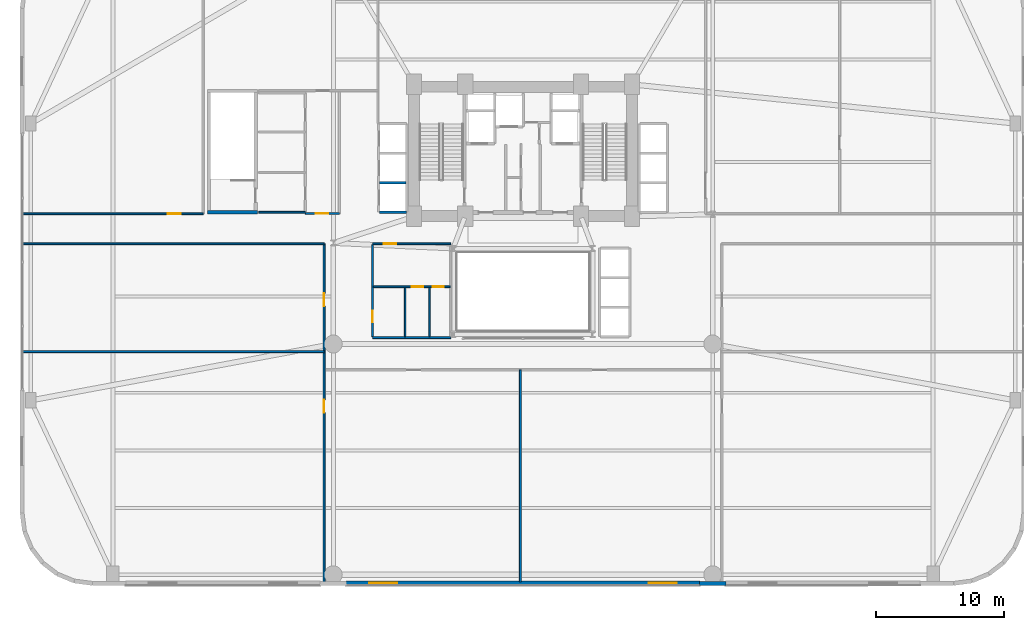
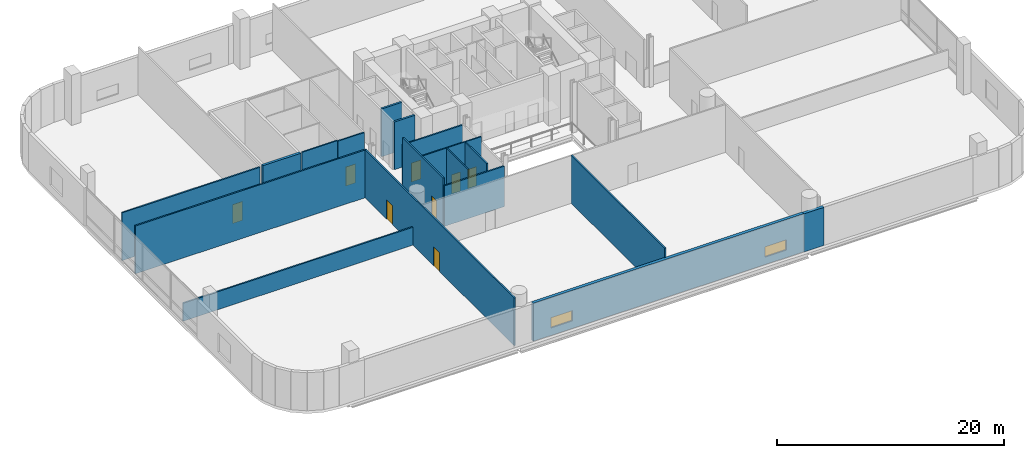
# One storey, part 22 of 31: 18 walls, 8 doors, 2 windows, 10 openings.
"""IFC4 building model written with IfcOpenShell, lengths in metres."""

from ifc_helpers import new_model, si_unit, direction, frame, frame_2d, origin, place, context, subcontext, project, spatial, rectangle, extrude, material, layer, layer_set, type_object, element, fill, save


model = new_model("IFC4")

# Units and contexts
model_context = context("Model", 3, precision=1e-05, world=origin(), true_north=direction((0.0, 1.0)))
body_context = subcontext(model_context, "Body", "Model", "MODEL_VIEW")
ifc_project = project(units=[si_unit("LENGTHUNIT", "METRE"), si_unit("AREAUNIT", "SQUARE_METRE"), si_unit("VOLUMEUNIT", "CUBIC_METRE"), si_unit("PLANEANGLEUNIT", "RADIAN"), si_unit("MASSUNIT", "GRAM", prefix="KILO")], contexts=[model_context])

# Site, building, storey
site_placement = place(None, origin())
site = spatial("IfcSite", under=ifc_project, at=site_placement, CompositionType="ELEMENT")
building_placement = place(site_placement, origin())
building = spatial("IfcBuilding", under=site, at=building_placement, Name="Varnelok Gate Tower", CompositionType="ELEMENT")
storey_placement = place(building_placement, frame((0.0, 0.0, 21.60009765625)))
storey = spatial("IfcBuildingStorey", under=building, at=storey_placement, Name="L04", CompositionType="ELEMENT", Elevation=21.60009765625)

# Wall, openings, windows
ifc_material_1 = material(Name="Concrete C45/55", Category="concrete")
ifc_layer_1 = layer(ifc_material_1, 0.320068359375)
ifc_layer_set_1 = layer_set([ifc_layer_1], Name="Concrete C45/55")
wall_type_1 = type_object("IfcWallType", Name="EW-POD-320", PredefinedType="SOLIDWALL", material=ifc_layer_set_1)
wall_1_placement = place(storey_placement, frame((53.0, 0.159912109375, 0.0), z_axis=(0.0, 0.0, 1.0), x_axis=(-1.0, 0.0, 0.0)))
wall_1 = element("IfcWall", 1, at=wall_1_placement, inside=storey, type_object=wall_type_1, Name="L04 South Podium Arch Facade Wall 2", PredefinedType="SOLIDWALL", context=body_context, shape_type="SweptSolid", body=[
    extrude(rectangle(XDim=27.60009765625, YDim=0.320068359375, at=frame_2d((13.800048828125, 0.0))), origin(), (0.0, 0.0, 1.0), 4.099853515625),
])
opening_1_placement = place(wall_1_placement, frame((1.800048828125, 0.0, 0.800048828125)))
opening_1 = element("IfcOpeningElement", 2, at=opening_1_placement, cuts=wall_1, Name="Opening WN2B", PredefinedType="OPENING", context=body_context, shape_type="SweptSolid", body=[
    extrude(rectangle(XDim=2.199951171875, YDim=1.110107421875, at=frame_2d((1.10009765625, 0.55517578125))), frame((0.0, 0.169921875, 0.0), z_axis=(0.0, -1.0, 0.0), x_axis=(1.0, 0.0, 0.0)), (0.0, 0.0, 1.0), 0.340087890625),
])
opening_2_placement = place(wall_1_placement, frame((23.60009765625, 0.0, 0.800048828125)))
opening_2 = element("IfcOpeningElement", 3, at=opening_2_placement, cuts=wall_1, Name="Opening WN2B", PredefinedType="OPENING", context=body_context, shape_type="SweptSolid", body=[
    extrude(rectangle(XDim=2.199951171875, YDim=1.110107421875, at=frame_2d((1.10009765625, 0.55517578125))), frame((0.0, 0.169921875, 0.0), z_axis=(0.0, -1.0, 0.0), x_axis=(1.0, 0.0, 0.0)), (0.0, 0.0, 1.0), 0.340087890625),
])
ifc_material_2 = material(Name="Low-E Laminated Double Glazing IGU", Category="glass")
window_type = type_object("IfcWindowType", Name="WN-POD-2200X1110", PartitioningType="SINGLE_PANEL", PredefinedType="WINDOW", material=ifc_material_2)
window_1_placement = place(opening_1_placement, origin())
window_1 = element("IfcWindow", 4, at=window_1_placement, inside=storey, type_object=window_type, Name="L04 Podium Arch Facade Window S2.1", OverallHeight=1.110107421875, OverallWidth=2.199951171875, PartitioningType="SINGLE_PANEL", PredefinedType="WINDOW", context=body_context, shape_type="SweptSolid", body=[
    extrude(rectangle(XDim=2.199951171875, YDim=1.110107421875, at=frame_2d((1.10009765625, 0.55517578125))), frame((0.0, 0.030029296875, 0.0), z_axis=(0.0, -1.0, 0.0), x_axis=(1.0, 0.0, 0.0)), (0.0, 0.0, 1.0), 0.06005859375),
])
fill(opening_1, window_1)
window_2_placement = place(opening_2_placement, origin())
window_2 = element("IfcWindow", 5, at=window_2_placement, inside=storey, type_object=window_type, Name="L04 Podium Arch Facade Window S2.2", OverallHeight=1.110107421875, OverallWidth=2.199951171875, PartitioningType="SINGLE_PANEL", PredefinedType="WINDOW", context=body_context, shape_type="SweptSolid", body=[
    extrude(rectangle(XDim=2.199951171875, YDim=1.110107421875, at=frame_2d((1.10009765625, 0.55517578125))), frame((0.0, 0.030029296875, 0.0), z_axis=(0.0, -1.0, 0.0), x_axis=(1.0, 0.0, 0.0)), (0.0, 0.0, 1.0), 0.06005859375),
])
fill(opening_2, window_2)

# Walls
wall_2_placement = place(storey_placement, frame((52.969970703125, 0.1201171875, 0.0), z_axis=(0.0, 0.0, 1.0), x_axis=(1.0, 0.0, 0.0)))
element("IfcWall", 6, at=wall_2_placement, inside=storey, type_object=wall_type_1, Name="L04 Perimeter Facade Closure Wall 9", PredefinedType="SOLIDWALL", context=body_context, shape_type="SweptSolid", body=[
    extrude(rectangle(XDim=2.06005859375, YDim=0.320068359375, at=frame_2d((1.030029296875, 0.0))), origin(), (0.0, 0.0, 1.0), 4.099853515625),
])
ifc_material_3 = material(Name="Gypsum Plasterboard Acoustic Partition", Category="gypsum")
ifc_layer_2 = layer(ifc_material_3, 0.125)
ifc_layer_set_2 = layer_set([ifc_layer_2], Name="Gypsum Plasterboard Acoustic Partition")
wall_type_2 = type_object("IfcWallType", Name="PW-PART-125", PredefinedType="PARTITIONING", material=ifc_layer_set_2)
wall_3_placement = place(storey_placement, frame((18.60009765625, 29.080078125, 0.0), z_axis=(0.0, 0.0, 1.0), x_axis=(1.0, 0.0, 0.0)))
element("IfcWall", 7, at=wall_3_placement, inside=storey, type_object=wall_type_2, Name="Interior Partition", PredefinedType="PARTITIONING", context=body_context, shape_type="SweptSolid", body=[
    extrude(rectangle(XDim=3.619873046875, YDim=0.125, at=frame_2d((1.81005859375, 0.0))), origin(), (0.0, 0.0, 1.0), 5.14990234375),
])

# Wall, openings, doors
wall_4_placement = place(storey_placement, frame((27.52001953125, 23.27001953125, 0.0), z_axis=(0.0, 0.0, 1.0), x_axis=(1.0, 0.0, 0.0)))
wall_4 = element("IfcWall", 8, at=wall_4_placement, inside=storey, type_object=wall_type_2, Name="Interior Partition", PredefinedType="PARTITIONING", context=body_context, shape_type="SweptSolid", body=[
    extrude(rectangle(XDim=6.0, YDim=0.125, at=frame_2d((3.0, 0.0))), origin(), (0.0, 0.0, 1.0), 5.14990234375),
])
opening_3_placement = place(wall_4_placement, frame((2.981689453125, 0.0, 0.0)))
opening_3 = element("IfcOpeningElement", 9, at=opening_3_placement, cuts=wall_4, Name="Opening D-I4", PredefinedType="OPENING", context=body_context, shape_type="SweptSolid", body=[
    extrude(rectangle(XDim=0.89990234375, YDim=2.050048828125, at=frame_2d((0.449951171875, 1.02490234375))), frame((0.0, 0.072509765625, 0.0), z_axis=(0.0, -1.0, 0.0), x_axis=(1.0, 0.0, 0.0)), (0.0, 0.0, 1.0), 0.14501953125),
])
opening_4_placement = place(wall_4_placement, frame((4.64990234375, 0.0, 0.0)))
opening_4 = element("IfcOpeningElement", 10, at=opening_4_placement, cuts=wall_4, Name="Opening D-RS", PredefinedType="OPENING", context=body_context, shape_type="SweptSolid", body=[
    extrude(rectangle(XDim=0.85009765625, YDim=2.050048828125, at=frame_2d((0.425048828125, 1.02490234375))), frame((0.0, 0.072509765625, 0.0), z_axis=(0.0, -1.0, 0.0), x_axis=(1.0, 0.0, 0.0)), (0.0, 0.0, 1.0), 0.14501953125),
])
ifc_material_4 = material(Name="Engineered Hardwood Timber", Category="wood")
door_type_1 = type_object("IfcDoorType", Name="DR-INT-900", OperationType="NOTDEFINED", PredefinedType="DOOR", material=ifc_material_4)
door_1_placement = place(opening_3_placement, origin())
door_1 = element("IfcDoor", 11, at=door_1_placement, inside=storey, type_object=door_type_1, Name="L04 Trolley Room Door", OperationType="SINGLE_SWING_LEFT", OverallHeight=2.050048828125, OverallWidth=0.89990234375, PredefinedType="DOOR", context=body_context, shape_type="SweptSolid", body=[
    extrude(rectangle(XDim=0.89990234375, YDim=2.050048828125, at=frame_2d((0.449951171875, 1.02490234375))), frame((0.0, 0.02490234375, 0.0), z_axis=(0.0, -1.0, 0.0), x_axis=(1.0, 0.0, 0.0)), (0.0, 0.0, 1.0), 0.050048828125),
])
fill(opening_3, door_1)
ifc_material_5 = material(Name="Galvanized Steel Grade S350GD", Category="steel")
door_type_2 = type_object("IfcDoorType", Name="DR-RISER-850", OperationType="NOTDEFINED", PredefinedType="DOOR", material=ifc_material_5)
door_2_placement = place(opening_4_placement, origin())
door_2 = element("IfcDoor", 12, at=door_2_placement, inside=storey, type_object=door_type_2, Name="L04 Janitor Sink Door", OperationType="SINGLE_SWING_RIGHT", OverallHeight=2.050048828125, OverallWidth=0.85009765625, PredefinedType="DOOR", context=body_context, shape_type="SweptSolid", body=[
    extrude(rectangle(XDim=0.85009765625, YDim=2.050048828125, at=frame_2d((0.425048828125, 1.02490234375))), frame((0.0, 0.02490234375, 0.0), z_axis=(0.0, -1.0, 0.0), x_axis=(1.0, 0.0, 0.0)), (0.0, 0.0, 1.0), 0.050048828125),
])
fill(opening_4, door_2)

# Walls
for number, where, z_axis, x_axis, name in (
    (13, (30.0, 19.3798828125, 0.0), (0.0, 0.0, 1.0), (0.0, 1.0, 0.0), "Interior Partition"),
    (14, (31.89990234375, 19.3798828125, 0.0), (0.0, 0.0, 1.0), (0.0, 1.0, 0.0), "Interior Partition"),
):
    element("IfcWall", number, at=place(storey_placement, frame(where, z_axis=z_axis, x_axis=x_axis)), inside=storey, type_object=wall_type_2, Name=name, PredefinedType="PARTITIONING", context=body_context, shape_type="SweptSolid", body=[
        extrude(rectangle(XDim=3.820068359375, YDim=0.125, at=frame_2d((1.91015625, 0.0))), origin(), (0.0, 0.0, 1.0), 5.14990234375),
    ])

# Wall, opening, door
ifc_layer_3 = layer(ifc_material_3, 0.14990234375)
ifc_layer_set_3 = layer_set([ifc_layer_3], Name="Gypsum Plasterboard Acoustic Partition")
wall_type_3 = type_object("IfcWallType", Name="PW-PART-150", PredefinedType="PARTITIONING", material=ifc_layer_set_3)
wall_5_placement = place(storey_placement, frame((22.219970703125, 28.97998046875, 0.0), z_axis=(0.0, 0.0, 1.0), x_axis=(1.0, 0.0, 0.0)))
wall_5 = element("IfcWall", 15, at=wall_5_placement, inside=storey, type_object=wall_type_3, Name="Interior Partition", PredefinedType="PARTITIONING", context=body_context, shape_type="SweptSolid", body=[
    extrude(rectangle(XDim=2.659912109375, YDim=0.14990234375, at=frame_2d((1.330078125, 0.0))), origin(), (0.0, 0.0, 1.0), 5.14990234375),
])
opening_5_placement = place(wall_5_placement, frame((0.800048828125, 0.0, 0.0)))
opening_5 = element("IfcOpeningElement", 16, at=opening_5_placement, cuts=wall_5, Name="Opening D-I1", PredefinedType="OPENING", context=body_context, shape_type="SweptSolid", body=[
    extrude(rectangle(XDim=1.0, YDim=2.050048828125, at=frame_2d((0.5, 1.02490234375))), frame((0.0, 0.0849609375, 0.0), z_axis=(0.0, -1.0, 0.0), x_axis=(1.0, 0.0, 0.0)), (0.0, 0.0, 1.0), 0.169921875),
])
door_type_3 = type_object("IfcDoorType", Name="DR-INT-1000", OperationType="NOTDEFINED", PredefinedType="DOOR", material=ifc_material_4)
door_3_placement = place(opening_5_placement, origin())
door_3 = element("IfcDoor", 17, at=door_3_placement, inside=storey, type_object=door_type_3, Name="L04 Restroom Vestibule Door", OperationType="SINGLE_SWING_LEFT", OverallHeight=2.050048828125, OverallWidth=1.0, PredefinedType="DOOR", context=body_context, shape_type="SweptSolid", body=[
    extrude(rectangle(XDim=1.0, YDim=2.050048828125, at=frame_2d((0.5, 1.02490234375))), frame((0.0, 0.02490234375, 0.0), z_axis=(0.0, -1.0, 0.0), x_axis=(1.0, 0.0, 0.0)), (0.0, 0.0, 1.0), 0.050048828125),
])
fill(opening_5, door_3)

# Walls
wall_6_placement = place(storey_placement, frame((0.199951171875, 18.199951171875, 0.0), z_axis=(0.0, 0.0, 1.0), x_axis=(1.0, 0.0, 0.0)))
element("IfcWall", 18, at=wall_6_placement, inside=storey, type_object=wall_type_3, Name="Interior Partition", PredefinedType="PARTITIONING", context=body_context, shape_type="SweptSolid", body=[
    extrude(rectangle(XDim=23.47998046875, YDim=0.14990234375, at=frame_2d((11.739990234375, 0.0))), origin(), (0.0, 0.0, 1.0), 1.934814453125),
])
wall_7_placement = place(storey_placement, frame((39.0, 0.25, 0.0), z_axis=(0.0, 0.0, 1.0), x_axis=(0.0, 1.0, 0.0)))
element("IfcWall", 19, at=wall_7_placement, inside=storey, type_object=wall_type_3, Name="Interior Partition", PredefinedType="PARTITIONING", context=body_context, shape_type="SweptSolid", body=[
    extrude(rectangle(XDim=16.530029296875, YDim=0.14990234375, at=frame_2d((8.26513671875, 0.0))), origin(), (0.0, 0.0, 1.0), 5.14990234375),
])

# Wall, openings, doors
wall_8_placement = place(storey_placement, frame((23.679931640625, 0.25, 0.0), z_axis=(0.0, 0.0, 1.0), x_axis=(0.0, 1.0, 0.0)))
wall_8 = element("IfcWall", 20, at=wall_8_placement, inside=storey, type_object=wall_type_3, Name="Interior Partition", PredefinedType="PARTITIONING", context=body_context, shape_type="SweptSolid", body=[
    extrude(rectangle(XDim=26.3701171875, YDim=0.14990234375, at=frame_2d((13.18505859375, 0.0))), origin(), (0.0, 0.0, 1.0), 5.14990234375),
])
opening_6_placement = place(wall_8_placement, frame((21.5, 0.0, 0.0)))
opening_6 = element("IfcOpeningElement", 21, at=opening_6_placement, cuts=wall_8, Name="Opening D-I1", PredefinedType="OPENING", context=body_context, shape_type="SweptSolid", body=[
    extrude(rectangle(XDim=1.0, YDim=2.050048828125, at=frame_2d((0.5, 1.02490234375))), frame((0.0, 0.0849609375, 0.0), z_axis=(0.0, -1.0, 0.0), x_axis=(1.0, 0.0, 0.0)), (0.0, 0.0, 1.0), 0.169921875),
])
opening_7_placement = place(wall_8_placement, frame((13.199951171875, 0.0, 0.0)))
opening_7 = element("IfcOpeningElement", 22, at=opening_7_placement, cuts=wall_8, Name="Opening D-I1", PredefinedType="OPENING", context=body_context, shape_type="SweptSolid", body=[
    extrude(rectangle(XDim=1.0, YDim=2.050048828125, at=frame_2d((0.5, 1.02490234375))), frame((0.0, 0.0849609375, 0.0), z_axis=(0.0, -1.0, 0.0), x_axis=(1.0, 0.0, 0.0)), (0.0, 0.0, 1.0), 0.169921875),
])
door_4_placement = place(opening_6_placement, origin())
door_4 = element("IfcDoor", 23, at=door_4_placement, inside=storey, type_object=door_type_3, Name="L04 Business Center Door", OperationType="SINGLE_SWING_LEFT", OverallHeight=2.050048828125, OverallWidth=1.0, PredefinedType="DOOR", context=body_context, shape_type="SweptSolid", body=[
    extrude(rectangle(XDim=1.0, YDim=2.050048828125, at=frame_2d((0.5, 1.02490234375))), frame((0.0, 0.02490234375, 0.0), z_axis=(0.0, -1.0, 0.0), x_axis=(1.0, 0.0, 0.0)), (0.0, 0.0, 1.0), 0.050048828125),
])
fill(opening_6, door_4)
door_5_placement = place(opening_7_placement, origin())
door_5 = element("IfcDoor", 24, at=door_5_placement, inside=storey, type_object=door_type_3, Name="L04 Conference Room Door", OperationType="SINGLE_SWING_RIGHT", OverallHeight=2.050048828125, OverallWidth=1.0, PredefinedType="DOOR", context=body_context, shape_type="SweptSolid", body=[
    extrude(rectangle(XDim=1.0, YDim=2.050048828125, at=frame_2d((0.5, 1.02490234375))), frame((0.0, 0.02490234375, 0.0), z_axis=(0.0, -1.0, 0.0), x_axis=(1.0, 0.0, 0.0)), (0.0, 0.0, 1.0), 0.050048828125),
])
fill(opening_7, door_5)

# Wall
wall_9_placement = place(storey_placement, frame((0.199951171875, 26.6201171875, 0.0), z_axis=(0.0, 0.0, 1.0), x_axis=(1.0, 0.0, 0.0)))
element("IfcWall", 25, at=wall_9_placement, inside=storey, type_object=wall_type_3, Name="Interior Partition", PredefinedType="PARTITIONING", context=body_context, shape_type="SweptSolid", body=[
    extrude(rectangle(XDim=23.47998046875, YDim=0.14990234375, at=frame_2d((11.739990234375, 0.0))), origin(), (0.0, 0.0, 1.0), 5.14990234375),
])

# Wall, opening, door
wall_10_placement = place(storey_placement, frame((0.199951171875, 28.9599609375, 0.0), z_axis=(0.0, 0.0, 1.0), x_axis=(1.0, 0.0, 0.0)))
wall_10 = element("IfcWall", 26, at=wall_10_placement, inside=storey, type_object=wall_type_3, Name="Interior Partition", PredefinedType="PARTITIONING", context=body_context, shape_type="SweptSolid", body=[
    extrude(rectangle(XDim=14.050048828125, YDim=0.14990234375, at=frame_2d((7.02490234375, 0.0))), origin(), (0.0, 0.0, 1.0), 5.14990234375),
])
opening_8_placement = place(wall_10_placement, frame((11.2919921875, 0.0, 0.0)))
opening_8 = element("IfcOpeningElement", 27, at=opening_8_placement, cuts=wall_10, Name="Opening D-I1", PredefinedType="OPENING", context=body_context, shape_type="SweptSolid", body=[
    extrude(rectangle(XDim=1.0, YDim=2.050048828125, at=frame_2d((0.5, 1.02490234375))), frame((0.0, 0.0849609375, 0.0), z_axis=(0.0, -1.0, 0.0), x_axis=(1.0, 0.0, 0.0)), (0.0, 0.0, 1.0), 0.169921875),
])
door_6_placement = place(opening_8_placement, origin())
door_6 = element("IfcDoor", 28, at=door_6_placement, inside=storey, type_object=door_type_3, Name="L04 Spa Treatment Door", OperationType="SINGLE_SWING_RIGHT", OverallHeight=2.050048828125, OverallWidth=1.0, PredefinedType="DOOR", context=body_context, shape_type="SweptSolid", body=[
    extrude(rectangle(XDim=1.0, YDim=2.050048828125, at=frame_2d((0.5, 1.02490234375))), frame((0.0, 0.02490234375, 0.0), z_axis=(0.0, -1.0, 0.0), x_axis=(1.0, 0.0, 0.0)), (0.0, 0.0, 1.0), 0.050048828125),
])
fill(opening_8, door_6)

wall_11_placement = place(storey_placement, frame((27.4599609375, 26.6201171875, 0.0), z_axis=(0.0, 0.0, 1.0), x_axis=(1.0, 0.0, 0.0)))
wall_11 = element("IfcWall", 29, at=wall_11_placement, inside=storey, type_object=wall_type_3, Name="Interior Partition", PredefinedType="PARTITIONING", context=body_context, shape_type="SweptSolid", body=[
    extrude(rectangle(XDim=6.10009765625, YDim=0.14990234375, at=frame_2d((3.050048828125, 0.0))), origin(), (0.0, 0.0, 1.0), 4.36181640625),
])
opening_9_placement = place(wall_11_placement, frame((0.8896484375, 0.0, 0.0)))
opening_9 = element("IfcOpeningElement", 30, at=opening_9_placement, cuts=wall_11, Name="Opening D-I2", PredefinedType="OPENING", context=body_context, shape_type="SweptSolid", body=[
    extrude(rectangle(XDim=0.949951171875, YDim=2.050048828125, at=frame_2d((0.47509765625, 1.02490234375))), frame((0.0, 0.0849609375, 0.0), z_axis=(0.0, -1.0, 0.0), x_axis=(1.0, 0.0, 0.0)), (0.0, 0.0, 1.0), 0.169921875),
])
door_type_4 = type_object("IfcDoorType", Name="DR-INT-950", OperationType="NOTDEFINED", PredefinedType="DOOR", material=ifc_material_4)
door_7_placement = place(opening_9_placement, origin())
door_7 = element("IfcDoor", 31, at=door_7_placement, inside=storey, type_object=door_type_4, Name="L04 Wellness Spa Lounge Door", OperationType="SINGLE_SWING_LEFT", OverallHeight=2.050048828125, OverallWidth=0.949951171875, PredefinedType="DOOR", context=body_context, shape_type="SweptSolid", body=[
    extrude(rectangle(XDim=0.949951171875, YDim=2.050048828125, at=frame_2d((0.47509765625, 1.02490234375))), frame((0.0, 0.02490234375, 0.0), z_axis=(0.0, -1.0, 0.0), x_axis=(1.0, 0.0, 0.0)), (0.0, 0.0, 1.0), 0.050048828125),
])
fill(opening_9, door_7)

# Wall
wall_12_placement = place(storey_placement, frame((27.4599609375, 19.300048828125, 0.0), z_axis=(0.0, 0.0, 1.0), x_axis=(1.0, 0.0, 0.0)))
element("IfcWall", 32, at=wall_12_placement, inside=storey, type_object=wall_type_3, Name="Interior Partition", PredefinedType="PARTITIONING", context=body_context, shape_type="SweptSolid", body=[
    extrude(rectangle(XDim=6.10009765625, YDim=0.14990234375, at=frame_2d((3.050048828125, 0.0))), origin(), (0.0, 0.0, 1.0), 4.36181640625),
])

# Wall, opening, door
wall_13_placement = place(storey_placement, frame((27.4599609375, 19.3798828125, 0.0), z_axis=(0.0, 0.0, 1.0), x_axis=(0.0, 1.0, 0.0)))
wall_13 = element("IfcWall", 33, at=wall_13_placement, inside=storey, type_object=wall_type_3, Name="Interior Partition", PredefinedType="PARTITIONING", context=body_context, shape_type="SweptSolid", body=[
    extrude(rectangle(XDim=7.16015625, YDim=0.14990234375, at=frame_2d((3.580078125, 0.0))), origin(), (0.0, 0.0, 1.0), 5.14990234375),
])
opening_10_placement = place(wall_13_placement, frame((1.10009765625, 0.0, 0.0)))
opening_10 = element("IfcOpeningElement", 34, at=opening_10_placement, cuts=wall_13, Name="Opening D-WC", PredefinedType="OPENING", context=body_context, shape_type="SweptSolid", body=[
    extrude(rectangle(XDim=0.89990234375, YDim=2.050048828125, at=frame_2d((0.449951171875, 1.02490234375))), frame((0.0, 0.0849609375, 0.0), z_axis=(0.0, -1.0, 0.0), x_axis=(1.0, 0.0, 0.0)), (0.0, 0.0, 1.0), 0.169921875),
])
door_type_5 = type_object("IfcDoorType", Name="DR-BATH-900", OperationType="NOTDEFINED", PredefinedType="DOOR", material=ifc_material_4)
door_8_placement = place(opening_10_placement, origin())
door_8 = element("IfcDoor", 35, at=door_8_placement, inside=storey, type_object=door_type_5, Name="L04 Accessible Floor WC Door", OperationType="SINGLE_SWING_RIGHT", OverallHeight=2.050048828125, OverallWidth=0.89990234375, PredefinedType="DOOR", context=body_context, shape_type="SweptSolid", body=[
    extrude(rectangle(XDim=0.89990234375, YDim=2.050048828125, at=frame_2d((0.449951171875, 1.02490234375))), frame((0.0, 0.02490234375, 0.0), z_axis=(0.0, -1.0, 0.0), x_axis=(1.0, 0.0, 0.0)), (0.0, 0.0, 1.0), 0.050048828125),
])
fill(opening_10, door_8)

# Walls
ifc_material_6 = material(Name="Concrete C35/45", Category="concrete")
ifc_layer_4 = layer(ifc_material_6, 0.199951171875)
ifc_layer_set_4 = layer_set([ifc_layer_4], Name="Concrete C35/45")
wall_type_4 = type_object("IfcWallType", Name="PW-SHAFT-200", PredefinedType="PARTITIONING", material=ifc_layer_set_4)
wall_14_placement = place(storey_placement, frame((28.02001953125, 31.375, 0.0), z_axis=(0.0, 0.0, 1.0), x_axis=(1.0, 0.0, 0.0)))
element("IfcWall", 36, at=wall_14_placement, inside=storey, type_object=wall_type_4, Name="L04 PL1 Divider", PredefinedType="PARTITIONING", context=body_context, shape_type="SweptSolid", body=[
    extrude(rectangle(XDim=2.06005859375, YDim=0.199951171875, at=frame_2d((1.030029296875, 0.0))), origin(), (0.0, 0.0, 1.0), 5.14990234375),
])
wall_15_placement = place(storey_placement, frame((28.0, 29.080078125, 0.0), z_axis=(0.0, 0.0, 1.0), x_axis=(1.0, 0.0, 0.0)))
element("IfcWall", 37, at=wall_15_placement, inside=storey, type_object=wall_type_4, Name="L04 PL Bank South Wall", PredefinedType="PARTITIONING", context=body_context, shape_type="SweptSolid", body=[
    extrude(rectangle(XDim=2.10009765625, YDim=0.199951171875, at=frame_2d((1.050048828125, 0.0))), origin(), (0.0, 0.0, 1.0), 5.14990234375),
])
ifc_material_7 = material(Name="Concrete C60/75", Category="concrete")
ifc_layer_5 = layer(ifc_material_7, 0.25)
ifc_layer_set_5 = layer_set([ifc_layer_5], Name="Concrete C60/75")
wall_type_5 = type_object("IfcWallType", Name="SW-SHAFT-250", PredefinedType="SHEAR", material=ifc_layer_set_5)
wall_16_placement = place(storey_placement, frame((14.580078125, 29.074951171875, 0.0), z_axis=(0.0, 0.0, 1.0), x_axis=(1.0, 0.0, 0.0)))
element("IfcWall", 38, at=wall_16_placement, inside=storey, type_object=wall_type_5, Name="L04 Stair ST-3 South Shear Wall", PredefinedType="SHEAR", context=body_context, shape_type="SweptSolid", body=[
    extrude(rectangle(XDim=3.889892578125, YDim=0.25, at=frame_2d((1.94482421875, 0.0))), origin(), (0.0, 0.0, 1.0), 5.14990234375),
])

save(model, "model.ifc")
